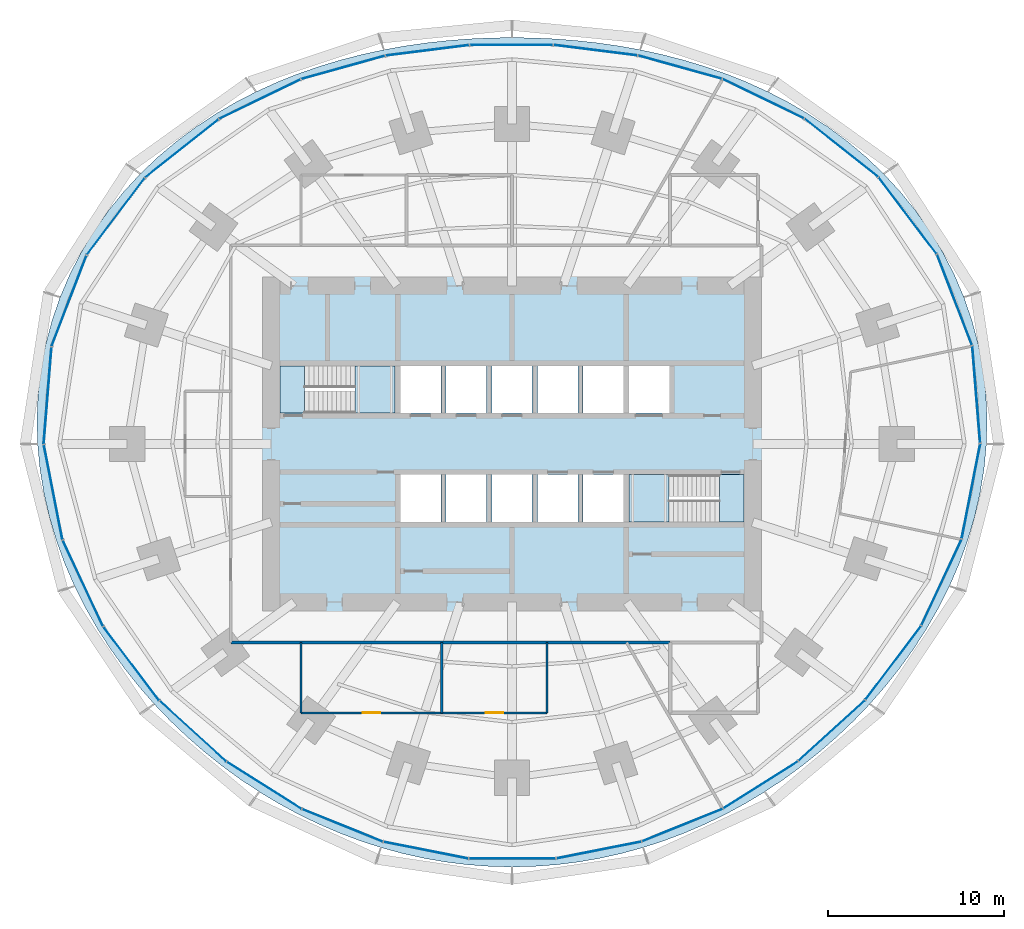
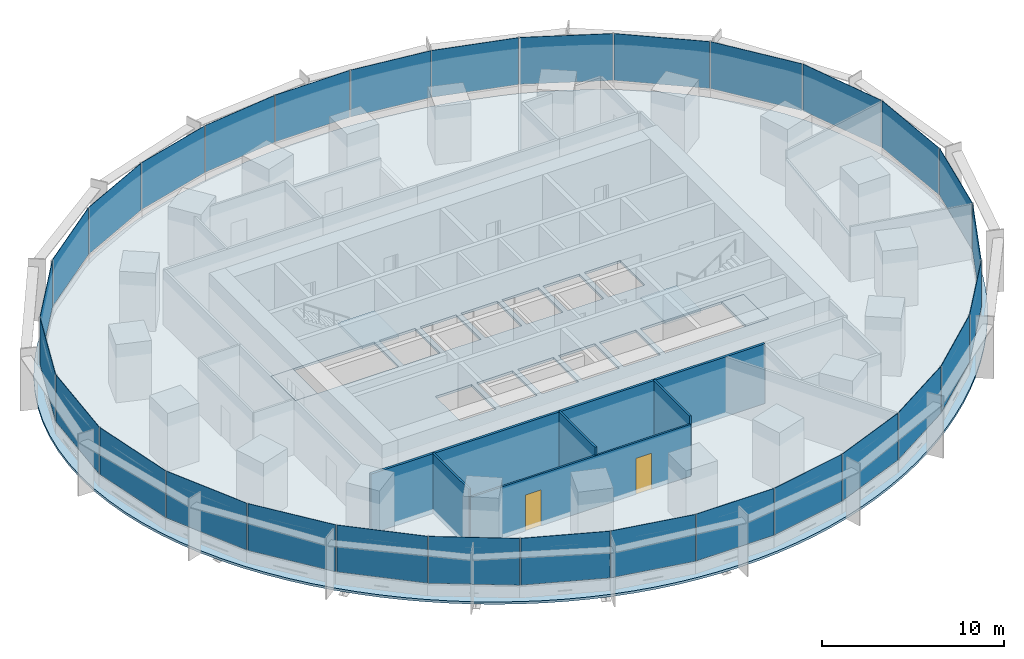
# One storey, part 10 of 15: 30 plates, 5 slabs, 5 walls, 2 doors, 2 openings, 8 elements without a shape of their own.
"""IFC4 building model written with IfcOpenShell, lengths in metres."""

from ifc_helpers import new_model, si_unit, direction, frame, frame_2d, origin, origin_2d, place, context, subcontext, project, spatial, polyline, rectangle, outline, extrude, material, layer, layer_set, type_object, element, fill, aggregate, save


model = new_model("IFC4")

# Units and contexts
model_context = context("Model", 3, precision=1e-05, world=origin(), true_north=direction((0.0, 1.0)))
body_context = subcontext(model_context, "Body", "Model", "MODEL_VIEW")
ifc_project = project(units=[si_unit("LENGTHUNIT", "METRE"), si_unit("AREAUNIT", "SQUARE_METRE"), si_unit("VOLUMEUNIT", "CUBIC_METRE"), si_unit("PLANEANGLEUNIT", "RADIAN"), si_unit("MASSUNIT", "GRAM", prefix="KILO")], contexts=[model_context])

# Site, building, storey
site_placement = place(None, origin())
site = spatial("IfcSite", under=ifc_project, at=site_placement, CompositionType="ELEMENT")
building_placement = place(site_placement, origin())
building = spatial("IfcBuilding", under=site, at=building_placement, Name="Marramba Exchange Tower", CompositionType="ELEMENT")
storey_placement = place(building_placement, frame((0.0, 0.0, 82.60009765625)))
storey = spatial("IfcBuildingStorey", under=building, at=storey_placement, Name="L19", CompositionType="ELEMENT", Elevation=82.60009765625)

# Slab
ifc_material_1 = material(Name="Concrete N40", Category="concrete")
ifc_layer_1 = layer(ifc_material_1, 0.159912109375)
ifc_layer_set_1 = layer_set([ifc_layer_1], Name="Composite floor slab 160")
slab_type_1 = type_object("IfcSlabType", Name="Composite floor slab 160", PredefinedType="FLOOR", material=ifc_layer_set_1)
slab_1_placement = place(storey_placement, frame((0.0, 0.0, -0.16015625)))
element("IfcSlab", 1, at=slab_1_placement, inside=storey, type_object=slab_type_1, Name="Floor slab L19", PredefinedType="FLOOR", context=body_context, shape_type="SweptSolid", body=[
    extrude(outline(polyline([(27.0, 0.0), (27.035888671875, 1.4169921875), (26.97265625, 2.8349609375), (26.80859375, 4.24609375), (26.5439453125, 5.64208984375), (26.179443359375, 7.0146484375), (25.717529296875, 8.356201171875), (25.16162109375, 9.65869140625), (24.516357421875, 10.915283203125), (23.786865234375, 12.1201171875), (22.9794921875, 13.267333984375), (22.10107421875, 14.3525390625), (21.158447265625, 15.37255859375), (20.159423828125, 16.32470703125), (19.11083984375, 17.20751953125), (18.020263671875, 18.020263671875), (16.89453125, 18.763427734375), (15.740478515625, 19.437744140625), (14.563720703125, 20.04541015625), (13.3701171875, 20.588134765625), (12.164306640625, 21.069091796875), (10.9501953125, 21.4912109375), (9.7314453125, 21.857421875), (8.5107421875, 22.1708984375), (7.289794921875, 22.435302734375), (6.06982421875, 22.6533203125), (4.85205078125, 22.827392578125), (3.636474609375, 22.96044921875), (2.423095703125, 23.053955078125), (1.211181640625, 23.109619140625), (0.0, 23.1279296875), (-1.211181640625, 23.109619140625), (-2.423095703125, 23.053955078125), (-3.636474609375, 22.96044921875), (-4.85205078125, 22.827392578125), (-6.06982421875, 22.6533203125), (-7.289794921875, 22.435302734375), (-8.5107421875, 22.1708984375), (-9.7314453125, 21.857421875), (-10.9501953125, 21.4912109375), (-12.164306640625, 21.069091796875), (-13.3701171875, 20.588134765625), (-14.563720703125, 20.04541015625), (-15.740478515625, 19.437744140625), (-16.89453125, 18.763427734375), (-18.020263671875, 18.020263671875), (-19.11083984375, 17.20751953125), (-20.159423828125, 16.32470703125), (-21.158447265625, 15.37255859375), (-22.10107421875, 14.3525390625), (-22.9794921875, 13.267333984375), (-23.786865234375, 12.1201171875), (-24.516357421875, 10.915283203125), (-25.16162109375, 9.65869140625), (-25.717529296875, 8.356201171875), (-26.179443359375, 7.0146484375), (-26.5439453125, 5.64208984375), (-26.80859375, 4.24609375), (-26.97265625, 2.8349609375), (-27.035888671875, 1.4169921875), (-27.0, 0.0), (-26.8671875, -1.407958984375), (-26.64111328125, -2.800048828125), (-26.326171875, -4.169677734375), (-25.927001953125, -5.510986328125), (-25.44921875, -6.819091796875), (-24.8984375, -8.090087890625), (-24.280517578125, -9.320556640625), (-23.60107421875, -10.5078125), (-22.865234375, -11.650390625), (-22.078369140625, -12.7470703125), (-21.244873046875, -13.796630859375), (-20.36865234375, -14.798583984375), (-19.453369140625, -15.753173828125), (-18.502197265625, -16.659423828125), (-17.517578125, -17.517578125), (-16.501953125, -18.327392578125), (-15.457275390625, -19.088134765625), (-14.385009765625, -19.799072265625), (-13.286865234375, -20.459716796875), (-12.164306640625, -21.069091796875), (-11.01904296875, -21.6259765625), (-9.8525390625, -22.129150390625), (-8.66650390625, -22.577392578125), (-7.463134765625, -22.968994140625), (-6.244140625, -23.30322265625), (-5.01171875, -23.578369140625), (-3.7685546875, -23.793701171875), (-2.51708984375, -23.947998046875), (-1.260009765625, -24.041015625), (0.0, -24.072021484375), (1.260009765625, -24.041015625), (2.51708984375, -23.947998046875), (3.7685546875, -23.793701171875), (5.01171875, -23.578369140625), (6.244140625, -23.30322265625), (7.463134765625, -22.968994140625), (8.66650390625, -22.577392578125), (9.8525390625, -22.129150390625), (11.01904296875, -21.6259765625), (12.164306640625, -21.069091796875), (13.286865234375, -20.459716796875), (14.385009765625, -19.799072265625), (15.457275390625, -19.088134765625), (16.501953125, -18.327392578125), (17.517578125, -17.517578125), (18.502197265625, -16.659423828125), (19.453369140625, -15.753173828125), (20.36865234375, -14.798583984375), (21.244873046875, -13.796630859375), (22.078369140625, -12.7470703125), (22.865234375, -11.650390625), (23.60107421875, -10.5078125), (24.280517578125, -9.320556640625), (24.8984375, -8.090087890625), (25.44921875, -6.819091796875), (25.927001953125, -5.510986328125), (26.326171875, -4.169677734375), (26.64111328125, -2.800048828125), (26.8671875, -1.407958984375), (27.0, 0.0)]), holes=[polyline([(-6.35009765625, 1.75), (-4.050048828125, 1.75), (-4.050048828125, 4.449951171875), (-6.35009765625, 4.449951171875), (-6.35009765625, 1.75)]), polyline([(-3.75, 1.75), (-1.449951171875, 1.75), (-1.449951171875, 4.449951171875), (-3.75, 4.449951171875), (-3.75, 1.75)]), polyline([(-1.14990234375, 1.75), (1.14990234375, 1.75), (1.14990234375, 4.449951171875), (-1.14990234375, 4.449951171875), (-1.14990234375, 1.75)]), polyline([(1.449951171875, 1.75), (3.75, 1.75), (3.75, 4.449951171875), (1.449951171875, 4.449951171875), (1.449951171875, 1.75)]), polyline([(4.050048828125, 1.75), (6.35009765625, 1.75), (6.35009765625, 4.449951171875), (4.050048828125, 4.449951171875), (4.050048828125, 1.75)]), polyline([(-6.35009765625, -4.449951171875), (-4.050048828125, -4.449951171875), (-4.050048828125, -1.75), (-6.35009765625, -1.75), (-6.35009765625, -4.449951171875)]), polyline([(-3.75, -4.449951171875), (-1.449951171875, -4.449951171875), (-1.449951171875, -1.75), (-3.75, -1.75), (-3.75, -4.449951171875)]), polyline([(-1.14990234375, -4.449951171875), (1.14990234375, -4.449951171875), (1.14990234375, -1.75), (-1.14990234375, -1.75), (-1.14990234375, -4.449951171875)]), polyline([(1.449951171875, -4.449951171875), (3.75, -4.449951171875), (3.75, -1.75), (1.449951171875, -1.75), (1.449951171875, -4.449951171875)]), polyline([(4.050048828125, -4.449951171875), (6.35009765625, -4.449951171875), (6.35009765625, -1.75), (4.050048828125, -1.75), (4.050048828125, -4.449951171875)]), polyline([(6.64990234375, 1.75), (8.949951171875, 1.75), (8.949951171875, 4.449951171875), (6.64990234375, 4.449951171875), (6.64990234375, 1.75)]), polyline([(-13.199951171875, 1.75), (-6.64990234375, 1.75), (-6.64990234375, 4.449951171875), (-13.199951171875, 4.449951171875), (-13.199951171875, 1.75)]), polyline([(6.64990234375, -4.449951171875), (13.199951171875, -4.449951171875), (13.199951171875, -1.75), (6.64990234375, -1.75), (6.64990234375, -4.449951171875)])]), origin(), (0.0, 0.0, 1.0), 0.16015625),
])

# Stair, slabs
ifc_material_2 = material(Name="Concrete N40 (40 MPa)", Category="concrete")
stair_type_1 = type_object("IfcStairType", Name="Exit stair ST1 4200 x 1250", PredefinedType="HALF_TURN_STAIR", material=ifc_material_2)
stair_1_placement = place(storey_placement, origin())
stair_1 = element("IfcStair", 2, at=stair_1_placement, inside=storey, type_object=stair_type_1, Name="Exit stair ST1 L19", PredefinedType="HALF_TURN_STAIR")
ifc_layer_2 = layer(ifc_material_2, 0.199951171875)
ifc_layer_set_2 = layer_set([ifc_layer_2], Name="Stair landing 200")
slab_type_2 = type_object("IfcSlabType", Name="Stair landing 200", PredefinedType="LANDING", material=ifc_layer_set_2)
slab_2_placement = place(storey_placement, frame((0.0, 0.0, -0.2001953125)))
slab_2 = element("IfcSlab", 3, at=slab_2_placement, type_object=slab_type_2, Name="ST1 landing 1", PredefinedType="LANDING", context=body_context, shape_type="SweptSolid", body=[
    extrude(outline(polyline([(-13.199951171875, 1.75), (-11.800048828125, 1.75), (-11.800048828125, 4.449951171875), (-13.199951171875, 4.449951171875), (-13.199951171875, 1.75)])), origin(), (0.0, 0.0, 1.0), 0.2001953125),
])
slab_3_placement = place(storey_placement, frame((0.0, 0.0, 1.89990234375)))
slab_3 = element("IfcSlab", 4, at=slab_3_placement, type_object=slab_type_2, Name="ST1 landing 2", PredefinedType="LANDING", context=body_context, shape_type="SweptSolid", body=[
    extrude(outline(polyline([(-8.93994140625, 1.75), (-6.64990234375, 1.75), (-6.64990234375, 4.449951171875), (-8.93994140625, 4.449951171875), (-8.93994140625, 1.75)])), origin(), (0.0, 0.0, 1.0), 0.199951171875),
])
aggregate(stair_1, [slab_2, slab_3])

stair_type_2 = type_object("IfcStairType", Name="Exit stair ST2 4200 x 1250", PredefinedType="HALF_TURN_STAIR", material=ifc_material_2)
stair_2_placement = place(storey_placement, origin())
stair_2 = element("IfcStair", 5, at=stair_2_placement, inside=storey, type_object=stair_type_2, Name="Exit stair ST2 L19", PredefinedType="HALF_TURN_STAIR")
slab_4_placement = place(storey_placement, frame((0.0, 0.0, -0.2001953125)))
slab_4 = element("IfcSlab", 6, at=slab_4_placement, type_object=slab_type_2, Name="ST2 landing 1", PredefinedType="LANDING", context=body_context, shape_type="SweptSolid", body=[
    extrude(outline(polyline([(11.800048828125, -4.449951171875), (13.199951171875, -4.449951171875), (13.199951171875, -1.75), (11.800048828125, -1.75), (11.800048828125, -4.449951171875)])), origin(), (0.0, 0.0, 1.0), 0.2001953125),
])
slab_5_placement = place(storey_placement, frame((0.0, 0.0, 1.89990234375)))
slab_5 = element("IfcSlab", 7, at=slab_5_placement, type_object=slab_type_2, Name="ST2 landing 2", PredefinedType="LANDING", context=body_context, shape_type="SweptSolid", body=[
    extrude(outline(polyline([(6.64990234375, -4.449951171875), (8.93994140625, -4.449951171875), (8.93994140625, -1.75), (6.64990234375, -1.75), (6.64990234375, -4.449951171875)])), origin(), (0.0, 0.0, 1.0), 0.199951171875),
])
aggregate(stair_2, [slab_4, slab_5])

# Curtain wall, plates
ifc_material_3 = material(Name="Aluminium framing, bronze anodised", Category="aluminium")
curtain_wall_type = type_object("IfcCurtainWallType", Name="Trading floor ribbon curtain wall", PredefinedType="USERDEFINED", material=ifc_material_3)
curtain_wall_1_placement = place(storey_placement, origin())
curtain_wall_1 = element("IfcCurtainWall", 8, at=curtain_wall_1_placement, inside=storey, type_object=curtain_wall_type, Name="Curtain wall CW3 L19 F01-F05", ObjectType="RIBBON CURTAIN WALL", PredefinedType="USERDEFINED")
ifc_material_4 = material(Name="Double glazed unit 10 + 12 + 8.76, bronze tinted", Category="glass")
ifc_layer_3 = layer(ifc_material_4, 0.03076171875)
ifc_layer_set_3 = layer_set([ifc_layer_3], Name="Trading floor ribbon curtain wall panel")
plate_type = type_object("IfcPlateType", Name="Trading floor ribbon curtain wall panel", PredefinedType="CURTAIN_PANEL", material=ifc_layer_set_3)
plate_1_placement = place(storey_placement, frame((26.42333984375, 2.814453125, 0.85986328125), z_axis=(0.0, 0.0, 1.0), x_axis=(-0.080275225953, 0.996772736434, 0.0)))
plate_1 = element("IfcPlate", 9, at=plate_1_placement, type_object=plate_type, Name="CW3 vision panel", PredefinedType="CURTAIN_PANEL", context=body_context, shape_type="SweptSolid", body=[
    extrude(rectangle(XDim=5.52734375, YDim=0.03076171875, at=origin_2d()), origin(), (0.0, 0.0, 1.0), 3.139892578125),
])
plate_2_placement = place(storey_placement, frame((25.188232421875, 8.19921875, 0.85986328125), z_axis=(0.0, 0.0, 1.0), x_axis=(-0.359525510698, 0.933135256626, 0.0)))
plate_2 = element("IfcPlate", 10, at=plate_2_placement, type_object=plate_type, Name="CW3 vision panel", PredefinedType="CURTAIN_PANEL", context=body_context, shape_type="SweptSolid", body=[
    extrude(rectangle(XDim=5.5166015625, YDim=0.03076171875, at=origin_2d()), origin(), (0.0, 0.0, 1.0), 3.139892578125),
])
plate_3_placement = place(storey_placement, frame((22.517822265625, 12.993896484375, 0.85986328125), z_axis=(0.0, 0.0, 1.0), x_axis=(-0.602989765036, 0.797748922445, 0.0)))
plate_3 = element("IfcPlate", 11, at=plate_3_placement, type_object=plate_type, Name="CW3 vision panel", PredefinedType="CURTAIN_PANEL", context=body_context, shape_type="SweptSolid", body=[
    extrude(rectangle(XDim=5.44775390625, YDim=0.03076171875, at=origin_2d()), origin(), (0.0, 0.0, 1.0), 3.139892578125),
])
plate_4_placement = place(storey_placement, frame((18.744384765625, 16.853759765625, 0.85986328125), z_axis=(0.0, 0.0, 1.0), x_axis=(-0.784087949432, 0.620649730166, 0.0)))
plate_4 = element("IfcPlate", 12, at=plate_4_placement, type_object=plate_type, Name="CW3 vision panel", PredefinedType="CURTAIN_PANEL", context=body_context, shape_type="SweptSolid", body=[
    extrude(rectangle(XDim=5.315673828125, YDim=0.03076171875, at=origin_2d()), origin(), (0.0, 0.0, 1.0), 3.139892578125),
])
plate_5_placement = place(storey_placement, frame((14.2978515625, 19.647705078125, 0.85986328125), z_axis=(0.0, 0.0, 1.0), x_axis=(-0.899963433508, 0.43596538664, 0.0)))
plate_5 = element("IfcPlate", 13, at=plate_5_placement, type_object=plate_type, Name="CW3 vision panel", PredefinedType="CURTAIN_PANEL", context=body_context, shape_type="SweptSolid", body=[
    extrude(rectangle(XDim=5.13037109375, YDim=0.03076171875, at=origin_2d()), origin(), (0.0, 0.0, 1.0), 3.139892578125),
])
aggregate(curtain_wall_1, [plate_1, plate_2, plate_3, plate_4, plate_5])

curtain_wall_2_placement = place(storey_placement, origin())
curtain_wall_2 = element("IfcCurtainWall", 14, at=curtain_wall_2_placement, inside=storey, type_object=curtain_wall_type, Name="Curtain wall CW3 L19 F06-F10", ObjectType="RIBBON CURTAIN WALL", PredefinedType="USERDEFINED")
plate_6_placement = place(storey_placement, frame((9.556396484375, 21.4423828125, 0.85986328125), z_axis=(0.0, 0.0, 1.0), x_axis=(-0.963472096649, 0.267808735815, 0.0)))
plate_6 = element("IfcPlate", 15, at=plate_6_placement, type_object=plate_type, Name="CW3 vision panel", PredefinedType="CURTAIN_PANEL", context=body_context, shape_type="SweptSolid", body=[
    extrude(rectangle(XDim=4.929931640625, YDim=0.03076171875, at=origin_2d()), origin(), (0.0, 0.0, 1.0), 3.139892578125),
])
plate_7_placement = place(storey_placement, frame((4.754150390625, 22.407958984375, 0.85986328125), z_axis=(0.0, 0.0, 1.0), x_axis=(-0.992172768738, 0.124872723099, 0.0)))
plate_7 = element("IfcPlate", 16, at=plate_7_placement, type_object=plate_type, Name="CW3 vision panel", PredefinedType="CURTAIN_PANEL", context=body_context, shape_type="SweptSolid", body=[
    extrude(rectangle(XDim=4.77294921875, YDim=0.03076171875, at=origin_2d()), origin(), (0.0, 0.0, 1.0), 3.139892578125),
])
plate_8_placement = place(storey_placement, frame((-0.030029296875, 22.7060546875, 0.85986328125), z_axis=(0.0, 0.0, 1.0), x_axis=(-1.0, 0.0, 0.0)))
plate_8 = element("IfcPlate", 17, at=plate_8_placement, type_object=plate_type, Name="CW3 vision panel", PredefinedType="CURTAIN_PANEL", context=body_context, shape_type="SweptSolid", body=[
    extrude(rectangle(XDim=4.712890625, YDim=0.03076171875, at=origin_2d()), origin(), (0.0, 0.0, 1.0), 3.139892578125),
])
plate_9_placement = place(storey_placement, frame((-4.813720703125, 22.400390625, 0.85986328125), z_axis=(0.0, 0.0, 1.0), x_axis=(-0.992172768738, -0.124872723099, 0.0)))
plate_9 = element("IfcPlate", 18, at=plate_9_placement, type_object=plate_type, Name="CW3 vision panel", PredefinedType="CURTAIN_PANEL", context=body_context, shape_type="SweptSolid", body=[
    extrude(rectangle(XDim=4.77294921875, YDim=0.03076171875, at=origin_2d()), origin(), (0.0, 0.0, 1.0), 3.139892578125),
])
plate_10_placement = place(storey_placement, frame((-9.6142578125, 21.42626953125, 0.85986328125), z_axis=(0.0, 0.0, 1.0), x_axis=(-0.963472096649, -0.267808735815, 0.0)))
plate_10 = element("IfcPlate", 19, at=plate_10_placement, type_object=plate_type, Name="CW3 vision panel", PredefinedType="CURTAIN_PANEL", context=body_context, shape_type="SweptSolid", body=[
    extrude(rectangle(XDim=4.929931640625, YDim=0.03076171875, at=origin_2d()), origin(), (0.0, 0.0, 1.0), 3.139892578125),
])
aggregate(curtain_wall_2, [plate_6, plate_7, plate_8, plate_9, plate_10])

curtain_wall_3_placement = place(storey_placement, origin())
curtain_wall_3 = element("IfcCurtainWall", 20, at=curtain_wall_3_placement, inside=storey, type_object=curtain_wall_type, Name="Curtain wall CW3 L19 F11-F15", ObjectType="RIBBON CURTAIN WALL", PredefinedType="USERDEFINED")
plate_11_placement = place(storey_placement, frame((-14.351806640625, 19.62158203125, 0.85986328125), z_axis=(0.0, 0.0, 1.0), x_axis=(-0.899963433508, -0.43596538664, 0.0)))
plate_11 = element("IfcPlate", 21, at=plate_11_placement, type_object=plate_type, Name="CW3 vision panel", PredefinedType="CURTAIN_PANEL", context=body_context, shape_type="SweptSolid", body=[
    extrude(rectangle(XDim=5.13037109375, YDim=0.03076171875, at=origin_2d()), origin(), (0.0, 0.0, 1.0), 3.139892578125),
])
plate_12_placement = place(storey_placement, frame((-18.79150390625, 16.81640625, 0.85986328125), z_axis=(0.0, 0.0, 1.0), x_axis=(-0.784087949432, -0.620649730166, 0.0)))
plate_12 = element("IfcPlate", 22, at=plate_12_placement, type_object=plate_type, Name="CW3 vision panel", PredefinedType="CURTAIN_PANEL", context=body_context, shape_type="SweptSolid", body=[
    extrude(rectangle(XDim=5.315673828125, YDim=0.03076171875, at=origin_2d()), origin(), (0.0, 0.0, 1.0), 3.139892578125),
])
plate_13_placement = place(storey_placement, frame((-22.553955078125, 12.946044921875, 0.85986328125), z_axis=(0.0, 0.0, 1.0), x_axis=(-0.602989765036, -0.797748922445, 0.0)))
plate_13 = element("IfcPlate", 23, at=plate_13_placement, type_object=plate_type, Name="CW3 vision panel", PredefinedType="CURTAIN_PANEL", context=body_context, shape_type="SweptSolid", body=[
    extrude(rectangle(XDim=5.44775390625, YDim=0.03076171875, at=origin_2d()), origin(), (0.0, 0.0, 1.0), 3.139892578125),
])
plate_14_placement = place(storey_placement, frame((-25.209716796875, 8.14306640625, 0.85986328125), z_axis=(0.0, 0.0, 1.0), x_axis=(-0.359525510698, -0.933135256626, 0.0)))
plate_14 = element("IfcPlate", 24, at=plate_14_placement, type_object=plate_type, Name="CW3 vision panel", PredefinedType="CURTAIN_PANEL", context=body_context, shape_type="SweptSolid", body=[
    extrude(rectangle(XDim=5.5166015625, YDim=0.03076171875, at=origin_2d()), origin(), (0.0, 0.0, 1.0), 3.139892578125),
])
plate_15_placement = place(storey_placement, frame((-26.42822265625, 2.754638671875, 0.85986328125), z_axis=(0.0, 0.0, 1.0), x_axis=(-0.080275225953, -0.996772736434, 0.0)))
plate_15 = element("IfcPlate", 25, at=plate_15_placement, type_object=plate_type, Name="CW3 vision panel", PredefinedType="CURTAIN_PANEL", context=body_context, shape_type="SweptSolid", body=[
    extrude(rectangle(XDim=5.52734375, YDim=0.03076171875, at=origin_2d()), origin(), (0.0, 0.0, 1.0), 3.139892578125),
])
aggregate(curtain_wall_3, [plate_11, plate_12, plate_13, plate_14, plate_15])

curtain_wall_4_placement = place(storey_placement, origin())
curtain_wall_4 = element("IfcCurtainWall", 26, at=curtain_wall_4_placement, inside=storey, type_object=curtain_wall_type, Name="Curtain wall CW3 L19 F16-F20", ObjectType="RIBBON CURTAIN WALL", PredefinedType="USERDEFINED")
plate_16_placement = place(storey_placement, frame((-26.111572265625, -2.74853515625, 0.85986328125), z_axis=(0.0, 0.0, 1.0), x_axis=(0.1922485756, -0.981346261612, 0.0)))
plate_16 = element("IfcPlate", 27, at=plate_16_placement, type_object=plate_type, Name="CW3 vision panel", PredefinedType="CURTAIN_PANEL", context=body_context, shape_type="SweptSolid", body=[
    extrude(rectangle(XDim=5.4814453125, YDim=0.03076171875, at=origin_2d()), origin(), (0.0, 0.0, 1.0), 3.139892578125),
])
plate_17_placement = place(storey_placement, frame((-24.420166015625, -7.928955078125, 0.85986328125), z_axis=(0.0, 0.0, 1.0), x_axis=(0.423477206492, -0.905906758768, 0.0)))
plate_17 = element("IfcPlate", 28, at=plate_17_placement, type_object=plate_type, Name="CW3 vision panel", PredefinedType="CURTAIN_PANEL", context=body_context, shape_type="SweptSolid", body=[
    extrude(rectangle(XDim=5.379150390625, YDim=0.03076171875, at=origin_2d()), origin(), (0.0, 0.0, 1.0), 3.139892578125),
])
plate_18_placement = place(storey_placement, frame((-21.665283203125, -12.503173828125, 0.85986328125), z_axis=(0.0, 0.0, 1.0), x_axis=(0.603040473588, -0.797710591138, 0.0)))
plate_18 = element("IfcPlate", 29, at=plate_18_placement, type_object=plate_type, Name="CW3 vision panel", PredefinedType="CURTAIN_PANEL", context=body_context, shape_type="SweptSolid", body=[
    extrude(rectangle(XDim=5.239501953125, YDim=0.03076171875, at=origin_2d()), origin(), (0.0, 0.0, 1.0), 3.139892578125),
])
plate_19_placement = place(storey_placement, frame((-18.154541015625, -16.350341796875, 0.85986328125), z_axis=(0.0, 0.0, 1.0), x_axis=(0.739589581463, -0.673058133441, 0.0)))
plate_19 = element("IfcPlate", 30, at=plate_19_placement, type_object=plate_type, Name="CW3 vision panel", PredefinedType="CURTAIN_PANEL", context=body_context, shape_type="SweptSolid", body=[
    extrude(rectangle(XDim=5.101806640625, YDim=0.03076171875, at=origin_2d()), origin(), (0.0, 0.0, 1.0), 3.139892578125),
])
plate_20_placement = place(storey_placement, frame((-14.103271484375, -19.4326171875, 0.85986328125), z_axis=(0.0, 0.0, 1.0), x_axis=(0.845790826298, -0.533514646612, 0.0)))
plate_20 = element("IfcPlate", 31, at=plate_20_placement, type_object=plate_type, Name="CW3 vision panel", PredefinedType="CURTAIN_PANEL", context=body_context, shape_type="SweptSolid", body=[
    extrude(rectangle(XDim=4.99853515625, YDim=0.03076171875, at=origin_2d()), origin(), (0.0, 0.0, 1.0), 3.139892578125),
])
aggregate(curtain_wall_4, [plate_16, plate_17, plate_18, plate_19, plate_20])

curtain_wall_5_placement = place(storey_placement, origin())
curtain_wall_5 = element("IfcCurtainWall", 32, at=curtain_wall_5_placement, inside=storey, type_object=curtain_wall_type, Name="Curtain wall CW3 L19 F21-F25", ObjectType="RIBBON CURTAIN WALL", PredefinedType="USERDEFINED")
plate_21_placement = place(storey_placement, frame((-9.644287109375, -21.71240234375, 0.85986328125), z_axis=(0.0, 0.0, 1.0), x_axis=(0.927340673283, -0.374218219325, 0.0)))
plate_21 = element("IfcPlate", 33, at=plate_21_placement, type_object=plate_type, Name="CW3 vision panel", PredefinedType="CURTAIN_PANEL", context=body_context, shape_type="SweptSolid", body=[
    extrude(rectangle(XDim=4.9375, YDim=0.03076171875, at=origin_2d()), origin(), (0.0, 0.0, 1.0), 3.139892578125),
])
plate_22_placement = place(storey_placement, frame((-4.88818359375, -23.1240234375, 0.85986328125), z_axis=(0.0, 0.0, 1.0), x_axis=(0.98100920064, -0.193961202977, 0.0)))
plate_22 = element("IfcPlate", 34, at=plate_22_placement, type_object=plate_type, Name="CW3 vision panel", PredefinedType="CURTAIN_PANEL", context=body_context, shape_type="SweptSolid", body=[
    extrude(rectangle(XDim=4.908935546875, YDim=0.03076171875, at=origin_2d()), origin(), (0.0, 0.0, 1.0), 3.139892578125),
])
plate_23_placement = place(storey_placement, frame((0.030029296875, -23.599853515625, 0.85986328125), z_axis=(0.0, 0.0, 1.0), x_axis=(1.0, 0.0, 0.0)))
plate_23 = element("IfcPlate", 35, at=plate_23_placement, type_object=plate_type, Name="CW3 vision panel", PredefinedType="CURTAIN_PANEL", context=body_context, shape_type="SweptSolid", body=[
    extrude(rectangle(XDim=4.90087890625, YDim=0.03076171875, at=origin_2d()), origin(), (0.0, 0.0, 1.0), 3.139892578125),
])
plate_24_placement = place(storey_placement, frame((4.947021484375, -23.1123046875, 0.85986328125), z_axis=(0.0, 0.0, 1.0), x_axis=(0.98100920064, 0.193961202977, 0.0)))
plate_24 = element("IfcPlate", 36, at=plate_24_placement, type_object=plate_type, Name="CW3 vision panel", PredefinedType="CURTAIN_PANEL", context=body_context, shape_type="SweptSolid", body=[
    extrude(rectangle(XDim=4.908935546875, YDim=0.03076171875, at=origin_2d()), origin(), (0.0, 0.0, 1.0), 3.139892578125),
])
plate_25_placement = place(storey_placement, frame((9.699951171875, -21.68994140625, 0.85986328125), z_axis=(0.0, 0.0, 1.0), x_axis=(0.927340673283, 0.374218219325, 0.0)))
plate_25 = element("IfcPlate", 37, at=plate_25_placement, type_object=plate_type, Name="CW3 vision panel", PredefinedType="CURTAIN_PANEL", context=body_context, shape_type="SweptSolid", body=[
    extrude(rectangle(XDim=4.9375, YDim=0.03076171875, at=origin_2d()), origin(), (0.0, 0.0, 1.0), 3.139892578125),
])
aggregate(curtain_wall_5, [plate_21, plate_22, plate_23, plate_24, plate_25])

curtain_wall_6_placement = place(storey_placement, origin())
curtain_wall_6 = element("IfcCurtainWall", 38, at=curtain_wall_6_placement, inside=storey, type_object=curtain_wall_type, Name="Curtain wall CW3 L19 F26-F30", ObjectType="RIBBON CURTAIN WALL", PredefinedType="USERDEFINED")
plate_26_placement = place(storey_placement, frame((14.15380859375, -19.400634765625, 0.85986328125), z_axis=(0.0, 0.0, 1.0), x_axis=(0.845790826298, 0.533514646612, 0.0)))
plate_26 = element("IfcPlate", 39, at=plate_26_placement, type_object=plate_type, Name="CW3 vision panel", PredefinedType="CURTAIN_PANEL", context=body_context, shape_type="SweptSolid", body=[
    extrude(rectangle(XDim=4.99853515625, YDim=0.03076171875, at=origin_2d()), origin(), (0.0, 0.0, 1.0), 3.139892578125),
])
plate_27_placement = place(storey_placement, frame((18.19873046875, -16.309814453125, 0.85986328125), z_axis=(0.0, 0.0, 1.0), x_axis=(0.739589581463, 0.673058133441, 0.0)))
plate_27 = element("IfcPlate", 40, at=plate_27_placement, type_object=plate_type, Name="CW3 vision panel", PredefinedType="CURTAIN_PANEL", context=body_context, shape_type="SweptSolid", body=[
    extrude(rectangle(XDim=5.101806640625, YDim=0.03076171875, at=origin_2d()), origin(), (0.0, 0.0, 1.0), 3.139892578125),
])
plate_28_placement = place(storey_placement, frame((21.701416015625, -12.455322265625, 0.85986328125), z_axis=(0.0, 0.0, 1.0), x_axis=(0.603040473588, 0.797710591138, 0.0)))
plate_28 = element("IfcPlate", 41, at=plate_28_placement, type_object=plate_type, Name="CW3 vision panel", PredefinedType="CURTAIN_PANEL", context=body_context, shape_type="SweptSolid", body=[
    extrude(rectangle(XDim=5.239501953125, YDim=0.03076171875, at=origin_2d()), origin(), (0.0, 0.0, 1.0), 3.139892578125),
])
plate_29_placement = place(storey_placement, frame((24.44580078125, -7.874755859375, 0.85986328125), z_axis=(0.0, 0.0, 1.0), x_axis=(0.423477206492, 0.905906758768, 0.0)))
plate_29 = element("IfcPlate", 42, at=plate_29_placement, type_object=plate_type, Name="CW3 vision panel", PredefinedType="CURTAIN_PANEL", context=body_context, shape_type="SweptSolid", body=[
    extrude(rectangle(XDim=5.379150390625, YDim=0.03076171875, at=origin_2d()), origin(), (0.0, 0.0, 1.0), 3.139892578125),
])
plate_30_placement = place(storey_placement, frame((26.123046875, -2.689697265625, 0.85986328125), z_axis=(0.0, 0.0, 1.0), x_axis=(0.1922485756, 0.981346261612, 0.0)))
plate_30 = element("IfcPlate", 43, at=plate_30_placement, type_object=plate_type, Name="CW3 vision panel", PredefinedType="CURTAIN_PANEL", context=body_context, shape_type="SweptSolid", body=[
    extrude(rectangle(XDim=5.4814453125, YDim=0.03076171875, at=origin_2d()), origin(), (0.0, 0.0, 1.0), 3.139892578125),
])
aggregate(curtain_wall_6, [plate_26, plate_27, plate_28, plate_29, plate_30])

# Wall
ifc_material_5 = material(Name="Plasterboard on steel studs", Category="steel")
ifc_layer_4 = layer(ifc_material_5, 0.1201171875)
ifc_layer_set_4 = layer_set([ifc_layer_4], Name="Partition 120")
wall_type_1 = type_object("IfcWallType", Name="Partition 120", PredefinedType="PARTITIONING", material=ifc_layer_set_4)
wall_1_placement = place(storey_placement, frame((-12.0, -11.300048828125, 0.0), z_axis=(0.0, 0.0, 1.0), x_axis=(0.0, -1.0, 0.0)))
element("IfcWall", 44, at=wall_1_placement, inside=storey, type_object=wall_type_1, Name="Partition L19 02", PredefinedType="PARTITIONING", context=body_context, shape_type="SweptSolid", body=[
    extrude(rectangle(XDim=4.0, YDim=0.1201171875, at=frame_2d((2.0, 0.0))), origin(), (0.0, 0.0, 1.0), 4.0),
])

# Wall, openings, doors
wall_2_placement = place(storey_placement, frame((-12.0, -15.300048828125, 0.0), z_axis=(0.0, 0.0, 1.0), x_axis=(1.0, 0.0, 0.0)))
wall_2 = element("IfcWall", 45, at=wall_2_placement, inside=storey, type_object=wall_type_1, Name="Partition L19 03", PredefinedType="PARTITIONING", context=body_context, shape_type="SweptSolid", body=[
    extrude(rectangle(XDim=14.0, YDim=0.1201171875, at=frame_2d((7.0, 0.0))), origin(), (0.0, 0.0, 1.0), 3.466796875),
])
opening_1_placement = place(wall_2_placement, frame((3.5, 0.0, 0.0)))
opening_1 = element("IfcOpeningElement", 46, at=opening_1_placement, cuts=wall_2, Name="Opening D9", PredefinedType="OPENING", context=body_context, shape_type="SweptSolid", body=[
    extrude(rectangle(XDim=1.0, YDim=2.39990234375, at=frame_2d((0.5, 1.199951171875))), frame((0.0, 0.070068359375, 0.0), z_axis=(0.0, -1.0, 0.0), x_axis=(1.0, 0.0, 0.0)), (0.0, 0.0, 1.0), 0.14013671875),
])
opening_2_placement = place(wall_2_placement, frame((10.5, 0.0, 0.0)))
opening_2 = element("IfcOpeningElement", 47, at=opening_2_placement, cuts=wall_2, Name="Opening D9", PredefinedType="OPENING", context=body_context, shape_type="SweptSolid", body=[
    extrude(rectangle(XDim=1.0, YDim=2.39990234375, at=frame_2d((0.5, 1.199951171875))), frame((0.0, 0.070068359375, 0.0), z_axis=(0.0, -1.0, 0.0), x_axis=(1.0, 0.0, 0.0)), (0.0, 0.0, 1.0), 0.14013671875),
])
ifc_material_6 = material(Name="Timber door", Category="wood")
door_type = type_object("IfcDoorType", Name="Room door 1000x2400", OperationType="SINGLE_SWING_LEFT", PredefinedType="DOOR", material=ifc_material_6)
door_1_placement = place(opening_1_placement, origin())
door_1 = element("IfcDoor", 48, at=door_1_placement, inside=storey, type_object=door_type, Name="D9 Clearing Office L19", OperationType="SINGLE_SWING_RIGHT", OverallHeight=2.39990234375, OverallWidth=1.0, PredefinedType="DOOR", context=body_context, shape_type="SweptSolid", body=[
    extrude(rectangle(XDim=1.0, YDim=2.39990234375, at=frame_2d((0.5, 1.199951171875))), frame((0.0, 0.02490234375, 0.0), z_axis=(0.0, -1.0, 0.0), x_axis=(1.0, 0.0, 0.0)), (0.0, 0.0, 1.0), 0.050048828125),
])
fill(opening_1, door_1)
door_2_placement = place(opening_2_placement, origin())
door_2 = element("IfcDoor", 49, at=door_2_placement, inside=storey, type_object=door_type, Name="D9 Pantry L19", OperationType="SINGLE_SWING_RIGHT", OverallHeight=2.39990234375, OverallWidth=1.0, PredefinedType="DOOR", context=body_context, shape_type="SweptSolid", body=[
    extrude(rectangle(XDim=1.0, YDim=2.39990234375, at=frame_2d((0.5, 1.199951171875))), frame((0.0, 0.02490234375, 0.0), z_axis=(0.0, -1.0, 0.0), x_axis=(1.0, 0.0, 0.0)), (0.0, 0.0, 1.0), 0.050048828125),
])
fill(opening_2, door_2)

# Walls
for number, where, z_axis, x_axis, name in (
    (50, (-4.0, -11.300048828125, 0.0), (0.0, 0.0, 1.0), (0.0, -1.0, 0.0), "Partition L19 05"),
    (51, (2.0, -15.300048828125, 0.0), (0.0, 0.0, 1.0), (0.0, 1.0, 0.0), "Partition L19 06"),
):
    element("IfcWall", number, at=place(storey_placement, frame(where, z_axis=z_axis, x_axis=x_axis)), inside=storey, type_object=wall_type_1, Name=name, PredefinedType="PARTITIONING", context=body_context, shape_type="SweptSolid", body=[
        extrude(rectangle(XDim=4.0, YDim=0.1201171875, at=frame_2d((2.0, 0.0))), origin(), (0.0, 0.0, 1.0), 4.0),
    ])
ifc_material_7 = material(Name="Fire-rated plasterboard on steel studs, acoustic insulation", Category="steel")
ifc_layer_5 = layer(ifc_material_7, 0.14990234375)
ifc_layer_set_5 = layer_set([ifc_layer_5], Name="Tenancy wall 150")
wall_type_2 = type_object("IfcWallType", Name="Tenancy wall 150", PredefinedType="PARTITIONING", material=ifc_layer_set_5)
wall_3_placement = place(storey_placement, frame((-16.0, -11.300048828125, 0.0), z_axis=(0.0, 0.0, 1.0), x_axis=(1.0, 0.0, 0.0)))
element("IfcWall", 52, at=wall_3_placement, inside=storey, type_object=wall_type_2, Name="Tenancy wall L19 04", PredefinedType="PARTITIONING", context=body_context, shape_type="SweptSolid", body=[
    extrude(rectangle(XDim=25.0, YDim=0.14990234375, at=frame_2d((12.5, 0.0))), origin(), (0.0, 0.0, 1.0), 4.0),
])

save(model, "model.ifc")
